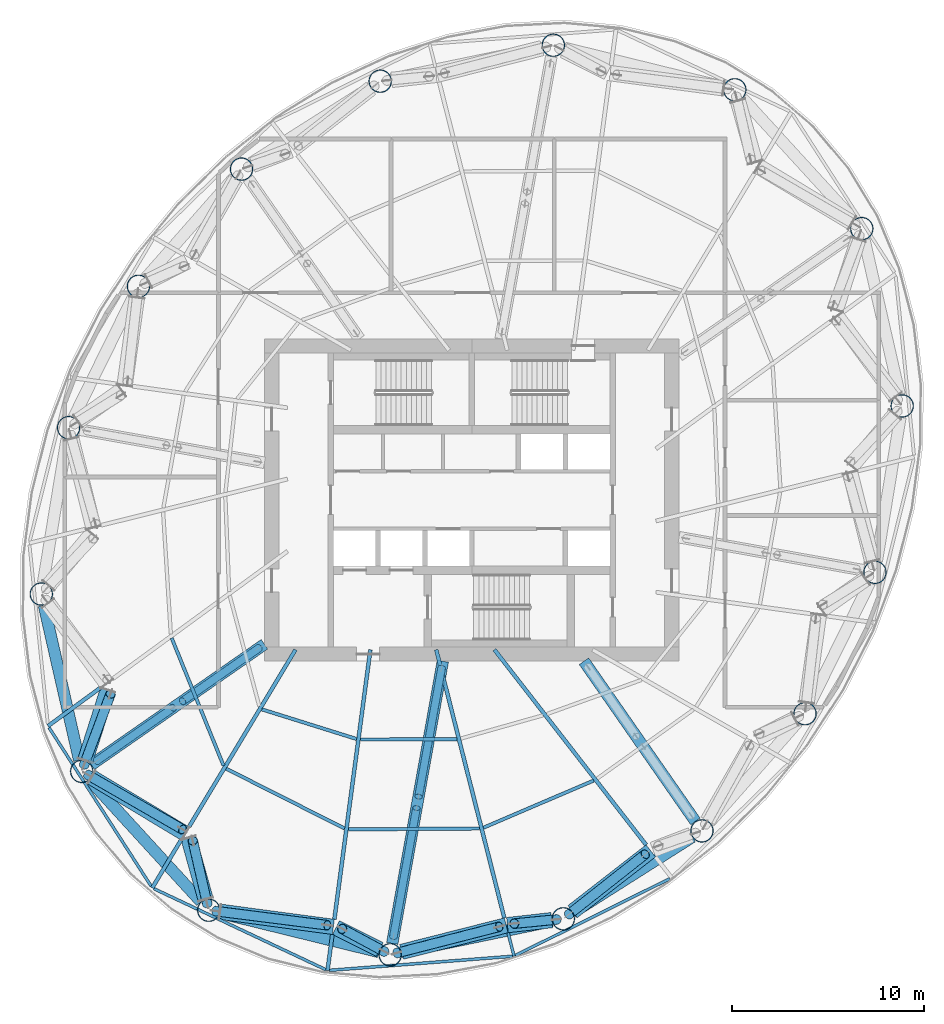
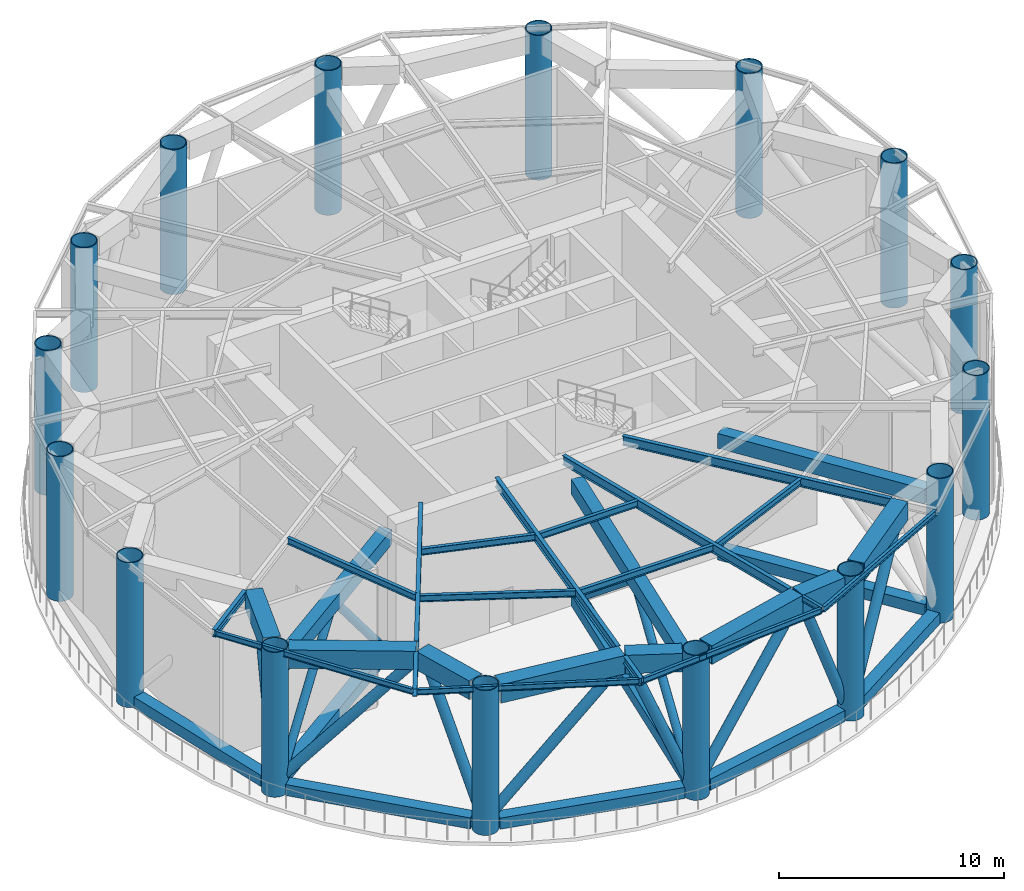
# One storey, part 1 of 15: 31 members, 18 beams, 16 columns.
"""IFC4 building model written with IfcOpenShell, lengths in metres."""

from ifc_helpers import new_model, si_unit, direction, frame, origin, origin_2d, place, context, subcontext, project, spatial, hollow_rectangle, hollow_circle, i_section, extrude, material, material_profile, profile_set, type_object, element, save


model = new_model("IFC4")

# Units and contexts
model_context = context("Model", 3, precision=1e-05, world=origin(), true_north=direction((0.0, 1.0)))
body_context = subcontext(model_context, "Body", "Model", "MODEL_VIEW")
ifc_project = project(units=[si_unit("LENGTHUNIT", "METRE"), si_unit("AREAUNIT", "SQUARE_METRE"), si_unit("VOLUMEUNIT", "CUBIC_METRE"), si_unit("PLANEANGLEUNIT", "RADIAN"), si_unit("MASSUNIT", "GRAM", prefix="KILO")], contexts=[model_context])

# Site, building, storey
site_placement = place(None, origin())
site = spatial("IfcSite", under=ifc_project, at=site_placement, CompositionType="ELEMENT")
building_placement = place(site_placement, origin())
building = spatial("IfcBuilding", under=site, at=building_placement, Name="Vermilion Reach Broadcast Tower", CompositionType="ELEMENT")
storey_placement = place(building_placement, frame((0.0, 0.0, 246.10009765625)))
storey = spatial("IfcBuildingStorey", under=building, at=storey_placement, Name="L61", CompositionType="ELEMENT", Elevation=246.10009765625)

# Columns
ifc_material_1 = material(Name="Concrete C60 infill in steel S460NL tube", Category="concrete")
ifc_material_profile_1 = material_profile(ifc_material_1, hollow_circle(Radius=0.60009765625, WallThickness=0.044921875, at=origin_2d()), Name="Concrete C60 infill in steel S460NL tube CFT 1200x45")
ifc_profile_set_1 = profile_set([ifc_material_profile_1], Name="Concrete C60 infill in steel S460NL tube")
column_type = type_object("IfcColumnType", Name="MC4 CFT 1200x45", PredefinedType="COLUMN", material=ifc_profile_set_1)
for number, where, z_axis, x_axis, name in (
    (1, (7.70361328125, 21.3701171875, 0.0), (0.0, 0.0, 1.0), (1.0, 0.0, 0.0), "Mega-column MC4-01"),
    (2, (-1.75, 23.691162109375, 0.0), (0.0, 0.0, 1.0), (1.0, 0.0, 0.0), "Mega-column MC4-02"),
    (3, (-10.769287109375, 21.818603515625, 0.0), (0.0, 0.0, 1.0), (1.0, 0.0, 0.0), "Mega-column MC4-03"),
    (4, (-17.993408203125, 17.23681640625, 0.0), (0.0, 0.0, 1.0), (1.0, 0.0, 0.0), "Mega-column MC4-04"),
    (5, (-23.36279296875, 11.134033203125, 0.0), (0.0, 0.0, 1.0), (1.0, 0.0, 0.0), "Mega-column MC4-05"),
    (6, (-27.002685546875, 3.767578125, 0.0), (0.0, 0.0, 1.0), (1.0, 0.0, 0.0), "Mega-column MC4-06"),
    (7, (-28.423828125, -4.9013671875, 0.0), (0.0, 0.0, 1.0), (1.0, 0.0, 0.0), "Mega-column MC4-07"),
    (8, (-26.318115234375, -14.13720703125, 0.0), (0.0, 0.0, 1.0), (1.0, 0.0, 0.0), "Mega-column MC4-08"),
    (9, (-19.70361328125, -21.3701171875, 0.0), (0.0, 0.0, 1.0), (1.0, 0.0, 0.0), "Mega-column MC4-09"),
    (10, (-10.25, -23.691162109375, 0.0), (0.0, 0.0, 1.0), (1.0, 0.0, 0.0), "Mega-column MC4-10"),
    (11, (-1.230712890625, -21.818603515625, 0.0), (0.0, 0.0, 1.0), (1.0, 0.0, 0.0), "Mega-column MC4-11"),
    (12, (5.993408203125, -17.23681640625, 0.0), (0.0, 0.0, 1.0), (1.0, 0.0, 0.0), "Mega-column MC4-12"),
    (13, (11.36279296875, -11.134033203125, 0.0), (0.0, 0.0, 1.0), (1.0, 0.0, 0.0), "Mega-column MC4-13"),
    (14, (15.002685546875, -3.767578125, 0.0), (0.0, 0.0, 1.0), (1.0, 0.0, 0.0), "Mega-column MC4-14"),
    (15, (16.423828125, 4.9013671875, 0.0), (0.0, 0.0, 1.0), (1.0, 0.0, 0.0), "Mega-column MC4-15"),
    (16, (14.318115234375, 14.13720703125, 0.0), (0.0, 0.0, 1.0), (1.0, 0.0, 0.0), "Mega-column MC4-16"),
):
    element("IfcColumn", number, at=place(storey_placement, frame(where, z_axis=z_axis, x_axis=x_axis)), inside=storey, type_object=column_type, Name=name, PredefinedType="COLUMN", context=body_context, shape_type="SweptSolid", body=[
        extrude(hollow_circle(Radius=0.60009765625, WallThickness=0.044921875, at=origin_2d()), origin(), (0.0, 0.0, 1.0), 7.849853515625),
    ])

# Members
ifc_material_2 = material(Name="Steel S460NL", Category="steel")
ifc_material_profile_2 = material_profile(ifc_material_2, hollow_rectangle(XDim=0.60009765625, YDim=0.60009765625, WallThickness=0.030029296875, at=origin_2d()), Name="S460NL BOX 600x600x30")
ifc_profile_set_2 = profile_set([ifc_material_profile_2], Name="Steel S460NL")
member_type_1 = type_object("IfcMemberType", Name="BT4-BC BOX 600x600x30", PredefinedType="CHORD", material=ifc_profile_set_2)
member_1_placement = place(storey_placement, frame((-28.290283203125, -5.486572265625, 0.2998046875), z_axis=(0.222283068275, -0.974982172944, 0.0), x_axis=(0.974982172944, 0.222283068275, 0.0)))
element("IfcMember", 17, at=member_1_placement, inside=storey, type_object=member_type_1, Name="Belt truss bottom chord BT4-BC07", PredefinedType="CHORD", context=body_context, shape_type="SweptSolid", body=[
    extrude(hollow_rectangle(XDim=0.60009765625, YDim=0.60009765625, WallThickness=0.030029296875, at=origin_2d()), origin(), (0.0, 0.0, 1.0), 8.272705078125),
])
member_2_placement = place(storey_placement, frame((-25.9130859375, -14.580078125, 0.2998046875), z_axis=(0.674868141417, -0.737938338684, 0.0), x_axis=(0.737938338684, 0.674868141417, 0.0)))
element("IfcMember", 18, at=member_2_placement, inside=storey, type_object=member_type_1, Name="Belt truss bottom chord BT4-BC08", PredefinedType="CHORD", context=body_context, shape_type="SweptSolid", body=[
    extrude(hollow_rectangle(XDim=0.60009765625, YDim=0.60009765625, WallThickness=0.030029296875, at=origin_2d()), origin(), (0.0, 0.0, 1.0), 8.601318359375),
])
member_3_placement = place(storey_placement, frame((-19.120849609375, -21.51318359375, 0.2998046875), z_axis=(0.971158622271, -0.238434331398, 0.0), x_axis=(0.238434331398, 0.971158622271, 0.0)))
element("IfcMember", 19, at=member_3_placement, inside=storey, type_object=member_type_1, Name="Belt truss bottom chord BT4-BC09", PredefinedType="CHORD", context=body_context, shape_type="SweptSolid", body=[
    extrude(hollow_rectangle(XDim=0.60009765625, YDim=0.60009765625, WallThickness=0.030029296875, at=origin_2d()), origin(), (0.0, 0.0, 1.0), 8.534423828125),
])
member_4_placement = place(storey_placement, frame((-9.662353515625, -23.569091796875, 0.2998046875), z_axis=(0.97912342484, 0.203266620302, 0.0), x_axis=(-0.203266620302, 0.97912342484, 0.0)))
element("IfcMember", 20, at=member_4_placement, inside=storey, type_object=member_type_1, Name="Belt truss bottom chord BT4-BC10", PredefinedType="CHORD", context=body_context, shape_type="SweptSolid", body=[
    extrude(hollow_rectangle(XDim=0.60009765625, YDim=0.60009765625, WallThickness=0.030029296875, at=origin_2d()), origin(), (0.0, 0.0, 1.0), 8.01123046875),
])
member_5_placement = place(storey_placement, frame((-0.72412109375, -21.497314453125, 0.2998046875), z_axis=(0.84446426774, 0.535611893549, 0.0), x_axis=(-0.535611893549, 0.84446426774, 0.0)))
element("IfcMember", 21, at=member_5_placement, inside=storey, type_object=member_type_1, Name="Belt truss bottom chord BT4-BC11", PredefinedType="CHORD", context=body_context, shape_type="SweptSolid", body=[
    extrude(hollow_rectangle(XDim=0.60009765625, YDim=0.60009765625, WallThickness=0.030029296875, at=origin_2d()), origin(), (0.0, 0.0, 1.0), 7.3544921875),
])
ifc_material_3 = material(Name="Steel S355J2H", Category="steel")
ifc_material_profile_3 = material_profile(ifc_material_3, hollow_circle(Radius=0.25390625, WallThickness=0.02001953125, at=origin_2d()), Name="S355J2H CHS 508x20")
ifc_profile_set_3 = profile_set([ifc_material_profile_3], Name="Steel S355J2H")
member_type_2 = type_object("IfcMemberType", Name="BT4-D CHS 508x20", PredefinedType="BRACE", material=ifc_profile_set_3)
member_6_placement = place(storey_placement, frame((-26.19580078125, -13.809326171875, 0.7998046875), z_axis=(0.191131498231, 0.512627603061, 0.837067315671), x_axis=(-0.936990841746, 0.349353921525, 0.0)))
element("IfcMember", 22, at=member_6_placement, inside=storey, type_object=member_type_2, Name="Belt truss diagonal BT4-D07B", PredefinedType="BRACE", context=body_context, shape_type="SweptSolid", body=[
    extrude(hollow_circle(Radius=0.25390625, WallThickness=0.02001953125, at=origin_2d()), origin(), (0.0, 0.0, 1.0), 7.2158203125),
])
member_7_placement = place(storey_placement, frame((-26.014892578125, -14.31201171875, 0.7998046875), z_axis=(0.595081626089, -0.342959266537, 0.726812768041), x_axis=(0.499332365952, 0.866410519507, 0.0)))
element("IfcMember", 23, at=member_7_placement, inside=storey, type_object=member_type_2, Name="Belt truss diagonal BT4-D08A", PredefinedType="BRACE", context=body_context, shape_type="SweptSolid", body=[
    extrude(hollow_circle(Radius=0.25390625, WallThickness=0.02001953125, at=origin_2d()), origin(), (0.0, 0.0, 1.0), 8.310302734375),
])
member_8_placement = place(storey_placement, frame((-19.781494140625, -21.02880859375, 0.7998046875), z_axis=(-0.108223826144, 0.474009055761, 0.873843818146), x_axis=(-0.974912582096, -0.222588088789, 0.0)))
element("IfcMember", 24, at=member_8_placement, inside=storey, type_object=member_type_2, Name="Belt truss diagonal BT4-D08B", PredefinedType="BRACE", context=body_context, shape_type="SweptSolid", body=[
    extrude(hollow_circle(Radius=0.25390625, WallThickness=0.02001953125, at=origin_2d()), origin(), (0.0, 0.0, 1.0), 6.912109375),
])
member_9_placement = place(storey_placement, frame((-19.356201171875, -21.4140625, 0.7998046875), z_axis=(0.691778634355, -0.087555180007, 0.716781983245), x_axis=(0.125563621504, 0.992085569371, 0.0)))
element("IfcMember", 25, at=member_9_placement, inside=storey, type_object=member_type_2, Name="Belt truss diagonal BT4-D09A", PredefinedType="BRACE", context=body_context, shape_type="SweptSolid", body=[
    extrude(hollow_circle(Radius=0.25390625, WallThickness=0.02001953125, at=origin_2d()), origin(), (0.0, 0.0, 1.0), 8.426513671875),
])
member_10_placement = place(storey_placement, frame((-10.557861328125, -23.52490234375, 0.7998046875), z_axis=(-0.335527084778, 0.180973123018, 0.924483804144), x_axis=(-0.474719310985, -0.880137248262, 0.0)))
element("IfcMember", 26, at=member_10_placement, inside=storey, type_object=member_type_2, Name="Belt truss diagonal BT4-D09B", PredefinedType="BRACE", context=body_context, shape_type="SweptSolid", body=[
    extrude(hollow_circle(Radius=0.25390625, WallThickness=0.02001953125, at=origin_2d()), origin(), (0.0, 0.0, 1.0), 6.533447265625),
])
member_11_placement = place(storey_placement, frame((-9.910888671875, -23.60400390625, 0.7998046875), z_axis=(0.653249408941, 0.16786331317, 0.73830015428), x_axis=(-0.248880959834, 0.968534081916, 0.0)))
element("IfcMember", 27, at=member_11_placement, inside=storey, type_object=member_type_2, Name="Belt truss diagonal BT4-D10A", PredefinedType="BRACE", context=body_context, shape_type="SweptSolid", body=[
    extrude(hollow_circle(Radius=0.25390625, WallThickness=0.02001953125, at=origin_2d()), origin(), (0.0, 0.0, 1.0), 8.180908203125),
])
member_12_placement = place(storey_placement, frame((-1.5791015625, -21.852783203125, 0.7998046875), z_axis=(-0.342645229584, -0.033471380274, 0.938868421743), x_axis=(0.097222469705, -0.995262674566, 0.0)))
element("IfcMember", 28, at=member_12_placement, inside=storey, type_object=member_type_2, Name="Belt truss diagonal BT4-D10B", PredefinedType="BRACE", context=body_context, shape_type="SweptSolid", body=[
    extrude(hollow_circle(Radius=0.25390625, WallThickness=0.02001953125, at=origin_2d()), origin(), (0.0, 0.0, 1.0), 6.433349609375),
])
member_13_placement = place(storey_placement, frame((-0.9560546875, -21.60205078125, 0.7998046875), z_axis=(0.505887547887, 0.398891898704, 0.764828766484), x_axis=(-0.619172744057, 0.7852548077, 0.0)))
element("IfcMember", 29, at=member_13_placement, inside=storey, type_object=member_type_2, Name="Belt truss diagonal BT4-D11A", PredefinedType="BRACE", context=body_context, shape_type="SweptSolid", body=[
    extrude(hollow_circle(Radius=0.25390625, WallThickness=0.02001953125, at=origin_2d()), origin(), (0.0, 0.0, 1.0), 7.897216796875),
])
ifc_material_4 = material(Name="Steel S460NL", Category="steel")
ifc_material_profile_4 = material_profile(ifc_material_4, hollow_rectangle(XDim=0.800048828125, YDim=1.0, WallThickness=0.0400390625, at=origin_2d()), Name="S460NL BOX 800x1000x40")
ifc_profile_set_4 = profile_set([ifc_material_profile_4], Name="Steel S460NL")
member_type_3 = type_object("IfcMemberType", Name="BT4-TC BOX 800x1000x40", PredefinedType="CHORD", material=ifc_profile_set_4)
member_14_placement = place(storey_placement, frame((-24.968994140625, -9.918701171875, 7.349853515625), z_axis=(-0.304620308545, -0.95247386716, 0.0), x_axis=(0.95247386716, -0.304620308545, 0.0)))
element("IfcMember", 30, at=member_14_placement, inside=storey, type_object=member_type_3, Name="Belt truss top chord BT4-TC14", PredefinedType="CHORD", context=body_context, shape_type="SweptSolid", body=[
    extrude(hollow_rectangle(XDim=0.800048828125, YDim=1.0, WallThickness=0.0400390625, at=origin_2d()), origin(), (0.0, 0.0, 1.0), 3.81884765625),
])
member_15_placement = place(storey_placement, frame((-25.79541015625, -14.45166015625, 7.349853515625), z_axis=(0.856880254366, -0.515515498969, 0.0), x_axis=(0.515515498969, 0.856880254366, 0.0)))
element("IfcMember", 31, at=member_15_placement, inside=storey, type_object=member_type_3, Name="Belt truss top chord BT4-TC15", PredefinedType="CHORD", context=body_context, shape_type="SweptSolid", body=[
    extrude(hollow_rectangle(XDim=0.800048828125, YDim=1.0, WallThickness=0.0400390625, at=origin_2d()), origin(), (0.0, 0.0, 1.0), 5.66650390625),
])
member_16_placement = place(storey_placement, frame((-20.75537109375, -17.614990234375, 7.349853515625), z_axis=(0.269698744745, -0.962944747679, 0.0), x_axis=(0.962944747679, 0.269698744745, 0.0)))
element("IfcMember", 32, at=member_16_placement, inside=storey, type_object=member_type_3, Name="Belt truss top chord BT4-TC16", PredefinedType="CHORD", context=body_context, shape_type="SweptSolid", body=[
    extrude(hollow_rectangle(XDim=0.800048828125, YDim=1.0, WallThickness=0.0400390625, at=origin_2d()), origin(), (0.0, 0.0, 1.0), 3.28955078125),
])
member_17_placement = place(storey_placement, frame((-19.098876953125, -21.45068359375, 7.349853515625), z_axis=(0.991191617397, -0.132435560189, 0.0), x_axis=(0.132435560189, 0.991191617397, 0.0)))
element("IfcMember", 33, at=member_17_placement, inside=storey, type_object=member_type_3, Name="Belt truss top chord BT4-TC17", PredefinedType="CHORD", context=body_context, shape_type="SweptSolid", body=[
    extrude(hollow_rectangle(XDim=0.800048828125, YDim=1.0, WallThickness=0.0400390625, at=origin_2d()), origin(), (0.0, 0.0, 1.0), 5.94140625),
])
member_18_placement = place(storey_placement, frame((-13.07421875, -22.279296875, 7.349853515625), z_axis=(0.894503844139, -0.447060256365, 0.0), x_axis=(0.447060256365, 0.894503844139, 0.0)))
element("IfcMember", 34, at=member_18_placement, inside=storey, type_object=member_type_3, Name="Belt truss top chord BT4-TC18", PredefinedType="CHORD", context=body_context, shape_type="SweptSolid", body=[
    extrude(hollow_rectangle(XDim=0.800048828125, YDim=1.0, WallThickness=0.0400390625, at=origin_2d()), origin(), (0.0, 0.0, 1.0), 2.547607421875),
])
member_19_placement = place(storey_placement, frame((-9.65869140625, -23.541015625, 7.349853515625), z_axis=(0.969268233243, 0.246006284525, 0.0), x_axis=(-0.246006284525, 0.969268233243, 0.0)))
element("IfcMember", 35, at=member_19_placement, inside=storey, type_object=member_type_3, Name="Belt truss top chord BT4-TC19", PredefinedType="CHORD", context=body_context, shape_type="SweptSolid", body=[
    extrude(hollow_rectangle(XDim=0.800048828125, YDim=1.0, WallThickness=0.0400390625, at=origin_2d()), origin(), (0.0, 0.0, 1.0), 5.625),
])
member_20_placement = place(storey_placement, frame((-4.142822265625, -22.145751953125, 7.349853515625), z_axis=(0.99374956646, 0.1116324288, 0.0), x_axis=(-0.1116324288, 0.99374956646, 0.0)))
element("IfcMember", 36, at=member_20_placement, inside=storey, type_object=member_type_3, Name="Belt truss top chord BT4-TC20", PredefinedType="CHORD", context=body_context, shape_type="SweptSolid", body=[
    extrude(hollow_rectangle(XDim=0.800048828125, YDim=1.0, WallThickness=0.0400390625, at=origin_2d()), origin(), (0.0, 0.0, 1.0), 2.3203125),
])
member_21_placement = place(storey_placement, frame((-0.7490234375, -21.4443359375, 7.349853515625), z_axis=(0.789578866867, 0.61364909598, 0.0), x_axis=(-0.61364909598, 0.789578866867, 0.0)))
element("IfcMember", 37, at=member_21_placement, inside=storey, type_object=member_type_3, Name="Belt truss top chord BT4-TC21", PredefinedType="CHORD", context=body_context, shape_type="SweptSolid", body=[
    extrude(hollow_rectangle(XDim=0.800048828125, YDim=1.0, WallThickness=0.0400390625, at=origin_2d()), origin(), (0.0, 0.0, 1.0), 5.160888671875),
])

# Beams
ifc_material_5 = material(Name="Steel S355J2", Category="steel")
ifc_material_profile_5 = material_profile(ifc_material_5, i_section(OverallWidth=0.14990234375, OverallDepth=0.300048828125, WebThickness=0.006591796875, FlangeThickness=0.009033203125, at=origin_2d()), Name="S355J2 HN 300x150x6.5x9")
ifc_profile_set_5 = profile_set([ifc_material_profile_5], Name="Steel S355J2")
beam_type_1 = type_object("IfcBeamType", Name="EB5 HN 300x150x6.5x9", PredefinedType="BEAM", material=ifc_profile_set_5)
beam_1_placement = place(storey_placement, frame((-28.01953125, -11.85986328125, 7.699951171875), z_axis=(0.541365845249, -0.840787144049, 0.0), x_axis=(0.840787144049, 0.541365845249, 0.0)))
element("IfcBeam", 38, at=beam_1_placement, inside=storey, type_object=beam_type_1, Name="Edge beam EB5-07", PredefinedType="BEAM", context=body_context, shape_type="SweptSolid", body=[
    extrude(i_section(OverallWidth=0.14990234375, OverallDepth=0.300048828125, WebThickness=0.006591796875, FlangeThickness=0.009033203125, at=origin_2d()), origin(), (0.0, 0.0, 1.0), 9.81640625),
])
beam_2_placement = place(storey_placement, frame((-22.55419921875, -20.249755859375, 7.699951171875), z_axis=(0.904545501306, -0.426377105468, 0.0), x_axis=(0.426377105468, 0.904545501306, 0.0)))
element("IfcBeam", 39, at=beam_2_placement, inside=storey, type_object=beam_type_1, Name="Edge beam EB5-08", PredefinedType="BEAM", context=body_context, shape_type="SweptSolid", body=[
    extrude(i_section(OverallWidth=0.14990234375, OverallDepth=0.300048828125, WebThickness=0.006591796875, FlangeThickness=0.009033203125, at=origin_2d()), origin(), (0.0, 0.0, 1.0), 9.889892578125),
])
beam_3_placement = place(storey_placement, frame((-13.411376953125, -24.50341796875, 7.699951171875), z_axis=(0.997048176014, 0.076778478149, 0.0), x_axis=(-0.076778478149, 0.997048176014, 0.0)))
element("IfcBeam", 40, at=beam_3_placement, inside=storey, type_object=beam_type_1, Name="Edge beam EB5-09", PredefinedType="BEAM", context=body_context, shape_type="SweptSolid", body=[
    extrude(i_section(OverallWidth=0.14990234375, OverallDepth=0.300048828125, WebThickness=0.006591796875, FlangeThickness=0.009033203125, at=origin_2d()), origin(), (0.0, 0.0, 1.0), 9.56494140625),
])
beam_4_placement = place(storey_placement, frame((-3.730224609375, -23.72900390625, 7.699951171875), z_axis=(0.895304914584, 0.44545382468, 0.0), x_axis=(-0.44545382468, 0.895304914584, 0.0)))
element("IfcBeam", 41, at=beam_4_placement, inside=storey, type_object=beam_type_1, Name="Edge beam EB5-10", PredefinedType="BEAM", context=body_context, shape_type="SweptSolid", body=[
    extrude(i_section(OverallWidth=0.14990234375, OverallDepth=0.300048828125, WebThickness=0.006591796875, FlangeThickness=0.009033203125, at=origin_2d()), origin(), (0.0, 0.0, 1.0), 8.994384765625),
])
ifc_material_6 = material(Name="Steel S355J2", Category="steel")
ifc_material_profile_6 = material_profile(ifc_material_6, i_section(OverallWidth=0.199951171875, OverallDepth=0.5, WebThickness=0.010009765625, FlangeThickness=0.01611328125, at=origin_2d()), Name="S355J2 HN 500x200x10x16")
ifc_profile_set_6 = profile_set([ifc_material_profile_6], Name="Steel S355J2")
beam_type_2 = type_object("IfcBeamType", Name="G5 HN 500x200x10x16", PredefinedType="BEAM", material=ifc_profile_set_6)
beam_5_placement = place(storey_placement, frame((-15.180908203125, -7.800048828125, 7.599853515625), z_axis=(-0.515518653599, -0.856878356473, 0.0), x_axis=(0.856878356473, -0.515518653599, 0.0)))
element("IfcBeam", 42, at=beam_5_placement, inside=storey, type_object=beam_type_2, Name="Girder G5-08", PredefinedType="BEAM", context=body_context, shape_type="SweptSolid", body=[
    extrude(i_section(OverallWidth=0.199951171875, OverallDepth=0.5, WebThickness=0.010009765625, FlangeThickness=0.01611328125, at=origin_2d()), origin(), (0.0, 0.0, 1.0), 10.771728515625),
])
beam_6_placement = place(storey_placement, frame((-11.28076171875, -7.800048828125, 7.599853515625), z_axis=(-0.132430135577, -0.991192342177, 0.0), x_axis=(0.991192342177, -0.132430135577, 0.0)))
element("IfcBeam", 43, at=beam_6_placement, inside=storey, type_object=beam_type_2, Name="Girder G5-09", PredefinedType="BEAM", context=body_context, shape_type="SweptSolid", body=[
    extrude(i_section(OverallWidth=0.199951171875, OverallDepth=0.5, WebThickness=0.010009765625, FlangeThickness=0.01611328125, at=origin_2d()), origin(), (0.0, 0.0, 1.0), 14.165771484375),
])
beam_7_placement = place(storey_placement, frame((-7.85009765625, -7.800048828125, 7.599853515625), z_axis=(0.245981826831, -0.969274440429, 0.0), x_axis=(0.969274440429, 0.245981826831, 0.0)))
element("IfcBeam", 44, at=beam_7_placement, inside=storey, type_object=beam_type_2, Name="Girder G5-10", PredefinedType="BEAM", context=body_context, shape_type="SweptSolid", body=[
    extrude(i_section(OverallWidth=0.199951171875, OverallDepth=0.5, WebThickness=0.010009765625, FlangeThickness=0.01611328125, at=origin_2d()), origin(), (0.0, 0.0, 1.0), 14.412353515625),
])
beam_8_placement = place(storey_placement, frame((-4.816650390625, -7.800048828125, 7.599853515625), z_axis=(0.613646378547, -0.789580978808, 0.0), x_axis=(0.789580978808, 0.613646378547, 0.0)))
element("IfcBeam", 45, at=beam_8_placement, inside=storey, type_object=beam_type_2, Name="Girder G5-11", PredefinedType="BEAM", context=body_context, shape_type="SweptSolid", body=[
    extrude(i_section(OverallWidth=0.199951171875, OverallDepth=0.5, WebThickness=0.010009765625, FlangeThickness=0.01611328125, at=origin_2d()), origin(), (0.0, 0.0, 1.0), 12.869384765625),
])
ifc_material_7 = material(Name="Steel S355J2", Category="steel")
ifc_material_profile_7 = material_profile(ifc_material_7, i_section(OverallWidth=0.199951171875, OverallDepth=0.39990234375, WebThickness=0.008056640625, FlangeThickness=0.012939453125, at=origin_2d()), Name="S355J2 HN 400x200x8x13")
ifc_profile_set_7 = profile_set([ifc_material_profile_7], Name="Steel S355J2")
beam_type_3 = type_object("IfcBeamType", Name="GC5 HN 400x200x8x13", PredefinedType="BEAM", material=ifc_profile_set_7)
beam_9_placement = place(storey_placement, frame((-25.351318359375, -9.7880859375, 7.64990234375), z_axis=(-0.80766043083, -0.589647885157, 0.0), x_axis=(0.589647885157, -0.80766043083, 0.0)))
element("IfcBeam", 46, at=beam_9_placement, inside=storey, type_object=beam_type_3, Name="Cantilever girder GC5-07", PredefinedType="BEAM", context=body_context, shape_type="SweptSolid", body=[
    extrude(i_section(OverallWidth=0.199951171875, OverallDepth=0.39990234375, WebThickness=0.008056640625, FlangeThickness=0.012939453125, at=origin_2d()), origin(), (0.0, 0.0, 1.0), 3.370849609375),
])
beam_10_placement = place(storey_placement, frame((-21.146240234375, -17.715576171875, 7.64990234375), z_axis=(-0.515483279977, -0.856899637101, 0.0), x_axis=(0.856899637101, -0.515483279977, 0.0)))
element("IfcBeam", 47, at=beam_10_placement, inside=storey, type_object=beam_type_3, Name="Cantilever girder GC5-08", PredefinedType="BEAM", context=body_context, shape_type="SweptSolid", body=[
    extrude(i_section(OverallWidth=0.199951171875, OverallDepth=0.39990234375, WebThickness=0.008056640625, FlangeThickness=0.012939453125, at=origin_2d()), origin(), (0.0, 0.0, 1.0), 2.907470703125),
])
beam_11_placement = place(storey_placement, frame((-13.2626953125, -22.634033203125, 7.64990234375), z_axis=(-0.132391703482, -0.991197476212, 0.0), x_axis=(0.991197476212, -0.132391703482, 0.0)))
element("IfcBeam", 48, at=beam_11_placement, inside=storey, type_object=beam_type_3, Name="Cantilever girder GC5-09", PredefinedType="BEAM", context=body_context, shape_type="SweptSolid", body=[
    extrude(i_section(OverallWidth=0.199951171875, OverallDepth=0.39990234375, WebThickness=0.008056640625, FlangeThickness=0.012939453125, at=origin_2d()), origin(), (0.0, 0.0, 1.0), 1.893798828125),
])
ifc_material_8 = material(Name="Steel S355J2", Category="steel")
ifc_material_profile_8 = material_profile(ifc_material_8, i_section(OverallWidth=0.14990234375, OverallDepth=0.300048828125, WebThickness=0.006591796875, FlangeThickness=0.009033203125, at=origin_2d()), Name="S355J2 HN 300x150x6.5x9")
ifc_profile_set_8 = profile_set([ifc_material_profile_8], Name="Steel S355J2")
beam_type_4 = type_object("IfcBeamType", Name="GS5 HN 300x150x6.5x9", PredefinedType="BEAM", material=ifc_profile_set_8)
beam_12_placement = place(storey_placement, frame((-4.108154296875, -22.544921875, 7.699951171875), z_axis=(0.246098815652, -0.969244743568, 0.0), x_axis=(0.969244743568, 0.246098815652, 0.0)))
element("IfcBeam", 49, at=beam_12_placement, inside=storey, type_object=beam_type_4, Name="Cantilever stub GS5-10", PredefinedType="BEAM", context=body_context, shape_type="SweptSolid", body=[
    extrude(i_section(OverallWidth=0.14990234375, OverallDepth=0.300048828125, WebThickness=0.006591796875, FlangeThickness=0.009033203125, at=origin_2d()), origin(), (0.0, 0.0, 1.0), 1.2568359375),
])

# Members
ifc_material_9 = material(Name="Steel S460NL", Category="steel")
ifc_material_profile_9 = material_profile(ifc_material_9, hollow_rectangle(XDim=0.60009765625, YDim=0.60009765625, WallThickness=0.030029296875, at=origin_2d()), Name="S460NL BOX 600x600x30")
ifc_profile_set_9 = profile_set([ifc_material_profile_9], Name="Steel S460NL")
member_type_4 = type_object("IfcMemberType", Name="OR4-BC BOX 600x600x30", PredefinedType="CHORD", material=ifc_profile_set_9)
member_22_placement = place(storey_placement, frame((-16.800048828125, -7.5146484375, 0.2998046875), z_axis=(-0.820848627818, -0.571145804684, 0.0), x_axis=(0.571145804684, -0.820848627818, 0.0)))
element("IfcMember", 50, at=member_22_placement, inside=storey, type_object=member_type_4, Name="Outrigger bottom chord OR4-08", PredefinedType="CHORD", context=body_context, shape_type="SweptSolid", body=[
    extrude(hollow_rectangle(XDim=0.60009765625, YDim=0.60009765625, WallThickness=0.030029296875, at=origin_2d()), origin(), (0.0, 0.0, 1.0), 10.99560546875),
])
member_23_placement = place(storey_placement, frame((-7.5068359375, -8.39990234375, 0.2998046875), z_axis=(-0.176574729047, -0.984287237072, 0.0), x_axis=(0.984287237072, -0.176574729047, 0.0)))
element("IfcMember", 51, at=member_23_placement, inside=storey, type_object=member_type_4, Name="Outrigger bottom chord OR4-10", PredefinedType="CHORD", context=body_context, shape_type="SweptSolid", body=[
    extrude(hollow_rectangle(XDim=0.60009765625, YDim=0.60009765625, WallThickness=0.030029296875, at=origin_2d()), origin(), (0.0, 0.0, 1.0), 14.935302734375),
])
member_24_placement = place(storey_placement, frame((-0.1552734375, -8.39990234375, 0.2998046875), z_axis=(0.571134149017, -0.8208567377, 0.0), x_axis=(0.8208567377, 0.571134149017, 0.0)))
element("IfcMember", 52, at=member_24_placement, inside=storey, type_object=member_type_4, Name="Outrigger bottom chord OR4-12", PredefinedType="CHORD", context=body_context, shape_type="SweptSolid", body=[
    extrude(hollow_rectangle(XDim=0.60009765625, YDim=0.60009765625, WallThickness=0.030029296875, at=origin_2d()), origin(), (0.0, 0.0, 1.0), 10.16552734375),
])
ifc_material_10 = material(Name="Steel S355J2H", Category="steel")
ifc_material_profile_10 = material_profile(ifc_material_10, hollow_circle(Radius=0.203125, WallThickness=0.01611328125, at=origin_2d()), Name="S355J2H CHS 406x16")
ifc_profile_set_10 = profile_set([ifc_material_profile_10], Name="Steel S355J2H")
member_type_5 = type_object("IfcMemberType", Name="OR4-D CHS 406x16", PredefinedType="BRACE", material=ifc_profile_set_10)
for number, where, z_axis, x_axis, name in (
    (53, (-17.08740234375, -7.714599609375, 0.599853515625), (-0.545556808214, -0.379570170265, 0.747190909244), (0.571117608851, -0.820868245738, 0.0), "Outrigger diagonal OR4-08-DA"),
    (54, (-25.538330078125, -13.5947265625, 0.599853515625), (0.545549876798, 0.379598819116, 0.747181416024), (-0.57115154329, 0.820844634872, 0.0), "Outrigger diagonal OR4-08-DB"),
):
    element("IfcMember", number, at=place(storey_placement, frame(where, z_axis=z_axis, x_axis=x_axis)), inside=storey, type_object=member_type_5, Name=name, PredefinedType="BRACE", context=body_context, shape_type="SweptSolid", body=[
        extrude(hollow_circle(Radius=0.203125, WallThickness=0.01611328125, at=origin_2d()), origin(), (0.0, 0.0, 1.0), 7.2939453125),
    ])
for number, where, z_axis, x_axis, name in (
    (55, (-7.568603515625, -8.744384765625, 0.599853515625), (-0.137924471372, -0.76883592468, 0.624394235334), (0.984287168855, -0.176575109311, 0.0), "Outrigger diagonal OR4-10-DA"),
    (56, (-10.08203125, -22.756103515625, 0.599853515625), (0.137897032415, 0.768838890466, 0.624396643936), (-0.984293391942, 0.176540416279, 0.0), "Outrigger diagonal OR4-10-DB"),
):
    element("IfcMember", number, at=place(storey_placement, frame(where, z_axis=z_axis, x_axis=x_axis)), inside=storey, type_object=member_type_5, Name=name, PredefinedType="BRACE", context=body_context, shape_type="SweptSolid", body=[
        extrude(hollow_circle(Radius=0.203125, WallThickness=0.01611328125, at=origin_2d()), origin(), (0.0, 0.0, 1.0), 8.728271484375),
    ])
ifc_material_11 = material(Name="Steel S460NL", Category="steel")
ifc_material_profile_11 = material_profile(ifc_material_11, hollow_rectangle(XDim=0.60009765625, YDim=0.800048828125, WallThickness=0.030029296875, at=origin_2d()), Name="S460NL BOX 600x800x30")
ifc_profile_set_11 = profile_set([ifc_material_profile_11], Name="Steel S460NL")
member_type_6 = type_object("IfcMemberType", Name="OR4-TC BOX 600x800x30", PredefinedType="CHORD", material=ifc_profile_set_11)
member_25_placement = place(storey_placement, frame((-16.800048828125, -7.5146484375, 6.449951171875), z_axis=(-0.820848627818, -0.571145804684, 0.0), x_axis=(0.571145804684, -0.820848627818, 0.0)))
element("IfcMember", 57, at=member_25_placement, inside=storey, type_object=member_type_6, Name="Outrigger top chord OR4-08", PredefinedType="CHORD", context=body_context, shape_type="SweptSolid", body=[
    extrude(hollow_rectangle(XDim=0.60009765625, YDim=0.800048828125, WallThickness=0.030029296875, at=origin_2d()), origin(), (0.0, 0.0, 1.0), 10.99560546875),
])
member_26_placement = place(storey_placement, frame((-7.5068359375, -8.39990234375, 6.449951171875), z_axis=(-0.176574729047, -0.984287237072, 0.0), x_axis=(0.984287237072, -0.176574729047, 0.0)))
element("IfcMember", 58, at=member_26_placement, inside=storey, type_object=member_type_6, Name="Outrigger top chord OR4-10", PredefinedType="CHORD", context=body_context, shape_type="SweptSolid", body=[
    extrude(hollow_rectangle(XDim=0.60009765625, YDim=0.800048828125, WallThickness=0.030029296875, at=origin_2d()), origin(), (0.0, 0.0, 1.0), 14.935302734375),
])
member_27_placement = place(storey_placement, frame((-0.1552734375, -8.39990234375, 6.449951171875), z_axis=(0.571134149017, -0.8208567377, 0.0), x_axis=(0.8208567377, 0.571134149017, 0.0)))
element("IfcMember", 59, at=member_27_placement, inside=storey, type_object=member_type_6, Name="Outrigger top chord OR4-12", PredefinedType="CHORD", context=body_context, shape_type="SweptSolid", body=[
    extrude(hollow_rectangle(XDim=0.60009765625, YDim=0.800048828125, WallThickness=0.030029296875, at=origin_2d()), origin(), (0.0, 0.0, 1.0), 10.16552734375),
])

# Beams
ifc_material_12 = material(Name="Steel S355J2", Category="steel")
ifc_material_profile_12 = material_profile(ifc_material_12, i_section(OverallWidth=0.175048828125, OverallDepth=0.35009765625, WebThickness=0.007080078125, FlangeThickness=0.010986328125, at=origin_2d()), Name="S355J2 HN 350x175x7x11")
ifc_profile_set_12 = profile_set([ifc_material_profile_12], Name="Steel S355J2")
beam_type_5 = type_object("IfcBeamType", Name="SB5 HN 350x175x7x11", PredefinedType="BEAM", material=ifc_profile_set_12)
beam_13_placement = place(storey_placement, frame((-21.63134765625, -7.19580078125, 7.6748046875), z_axis=(0.376756039219, -0.926312521189, 0.0), x_axis=(0.926312521189, 0.376756039219, 0.0)))
element("IfcBeam", 60, at=beam_13_placement, inside=storey, type_object=beam_type_5, Name="Secondary beam SB5-07-2", PredefinedType="BEAM", context=body_context, shape_type="SweptSolid", body=[
    extrude(i_section(OverallWidth=0.175048828125, OverallDepth=0.35009765625, WebThickness=0.007080078125, FlangeThickness=0.010986328125, at=origin_2d()), origin(), (0.0, 0.0, 1.0), 7.170166015625),
])
beam_14_placement = place(storey_placement, frame((-16.93359375, -10.907470703125, 7.6748046875), z_axis=(0.954375654525, -0.298608623536, 0.0), x_axis=(0.298608623536, 0.954375654525, 0.0)))
element("IfcBeam", 61, at=beam_14_placement, inside=storey, type_object=beam_type_5, Name="Secondary beam SB5-08-1", PredefinedType="BEAM", context=body_context, shape_type="SweptSolid", body=[
    extrude(i_section(OverallWidth=0.175048828125, OverallDepth=0.35009765625, WebThickness=0.007080078125, FlangeThickness=0.010986328125, at=origin_2d()), origin(), (0.0, 0.0, 1.0), 5.166259765625),
])
beam_15_placement = place(storey_placement, frame((-18.793212890625, -13.99853515625, 7.6748046875), z_axis=(0.89263920224, -0.450771843202, 0.0), x_axis=(0.450771843202, 0.89263920224, 0.0)))
element("IfcBeam", 62, at=beam_15_placement, inside=storey, type_object=beam_type_5, Name="Secondary beam SB5-08-2", PredefinedType="BEAM", context=body_context, shape_type="SweptSolid", body=[
    extrude(i_section(OverallWidth=0.175048828125, OverallDepth=0.35009765625, WebThickness=0.007080078125, FlangeThickness=0.010986328125, at=origin_2d()), origin(), (0.0, 0.0, 1.0), 6.9091796875),
])
beam_16_placement = place(storey_placement, frame((-11.804931640625, -12.47998046875, 7.6748046875), z_axis=(0.999989606352, 0.004559296842, 0.0), x_axis=(-0.004559296842, 0.999989606352, 0.0)))
element("IfcBeam", 63, at=beam_16_placement, inside=storey, type_object=beam_type_5, Name="Secondary beam SB5-09-1", PredefinedType="BEAM", context=body_context, shape_type="SweptSolid", body=[
    extrude(i_section(OverallWidth=0.175048828125, OverallDepth=0.35009765625, WebThickness=0.007080078125, FlangeThickness=0.010986328125, at=origin_2d()), origin(), (0.0, 0.0, 1.0), 5.033447265625),
])
beam_17_placement = place(storey_placement, frame((-12.430419921875, -17.16015625, 7.6748046875), z_axis=(0.999977010688, 0.006780714919, 0.0), x_axis=(-0.006780714919, 0.999977010688, 0.0)))
element("IfcBeam", 64, at=beam_17_placement, inside=storey, type_object=beam_type_5, Name="Secondary beam SB5-09-2", PredefinedType="BEAM", context=body_context, shape_type="SweptSolid", body=[
    extrude(i_section(OverallWidth=0.175048828125, OverallDepth=0.35009765625, WebThickness=0.007080078125, FlangeThickness=0.010986328125, at=origin_2d()), origin(), (0.0, 0.0, 1.0), 6.841064453125),
])
beam_18_placement = place(storey_placement, frame((-5.3935546875, -17.0732421875, 7.6748046875), z_axis=(0.91941553392, 0.393287523304, 0.0), x_axis=(-0.393287523304, 0.91941553392, 0.0)))
element("IfcBeam", 65, at=beam_18_placement, inside=storey, type_object=beam_type_5, Name="Secondary beam SB5-10-2", PredefinedType="BEAM", context=body_context, shape_type="SweptSolid", body=[
    extrude(i_section(OverallWidth=0.175048828125, OverallDepth=0.35009765625, WebThickness=0.007080078125, FlangeThickness=0.010986328125, at=origin_2d()), origin(), (0.0, 0.0, 1.0), 6.25048828125),
])

save(model, "model.ifc")
